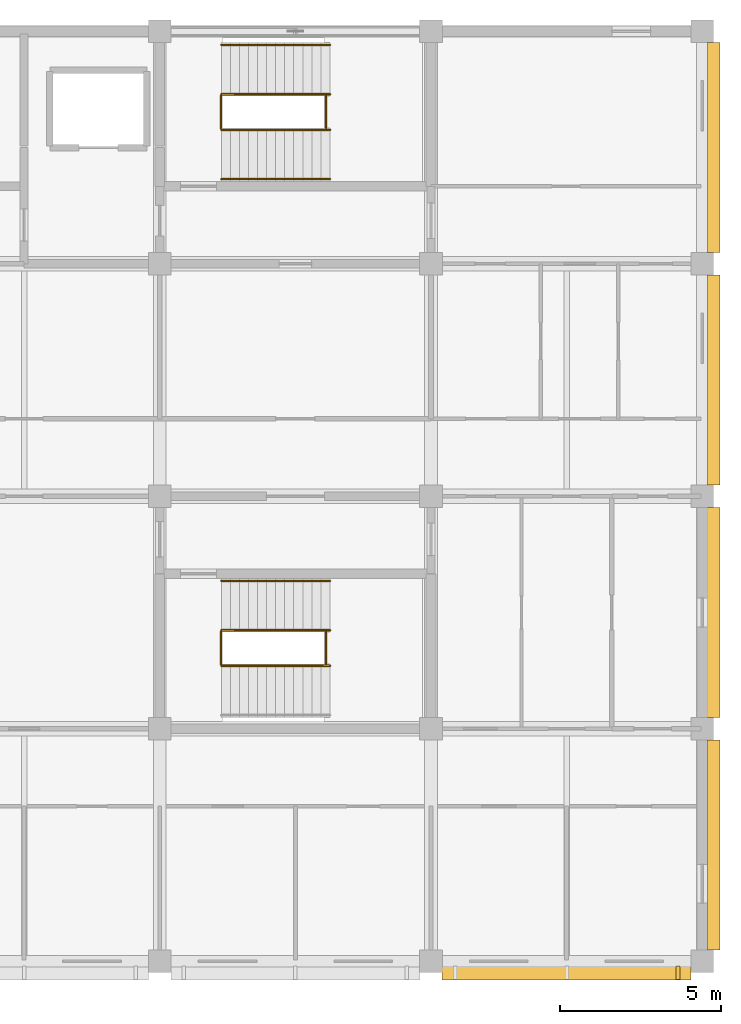
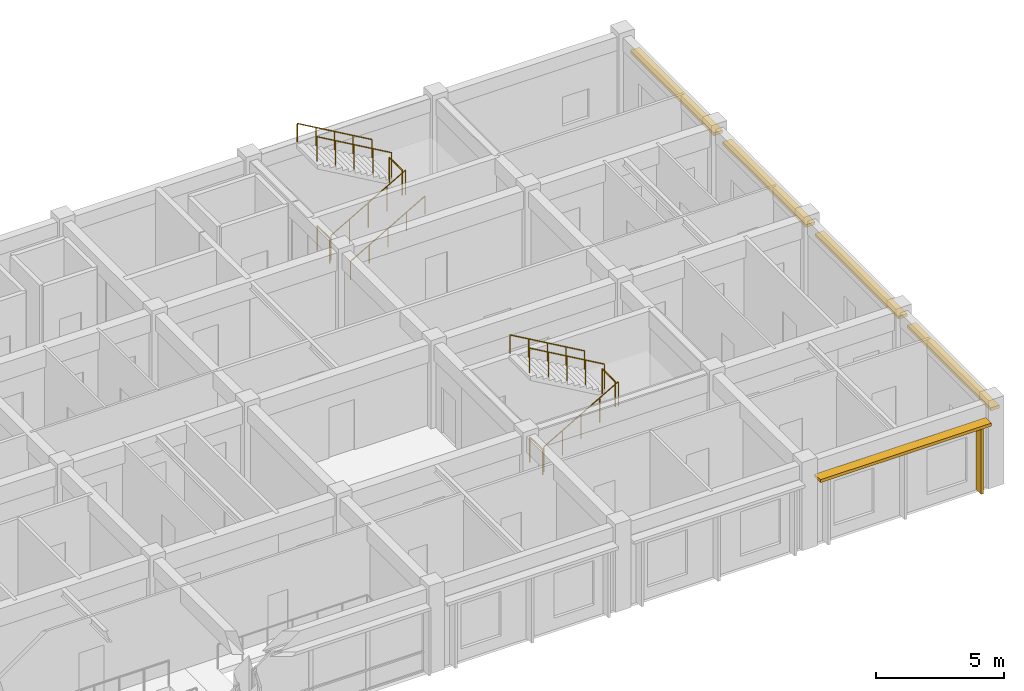
# One storey, part 17 of 17: 11 railings, 6 shading devices.
"""IFC4 building model written with IfcOpenShell, lengths in metres."""

from ifc_helpers import new_model, si_unit, direction, frame, origin, origin_2d, place, context, subcontext, project, spatial, rectangle, circle, extrude, material, type_object, element, save


model = new_model("IFC4")

# Units and contexts
model_context = context("Model", 3, precision=1e-05, world=origin(), true_north=direction((0.0, 1.0)))
body_context = subcontext(model_context, "Body", "Model", "MODEL_VIEW")
ifc_project = project(units=[si_unit("LENGTHUNIT", "METRE"), si_unit("AREAUNIT", "SQUARE_METRE"), si_unit("VOLUMEUNIT", "CUBIC_METRE"), si_unit("PLANEANGLEUNIT", "RADIAN"), si_unit("MASSUNIT", "GRAM", prefix="KILO")], contexts=[model_context])

# Site, building, storey
site_placement = place(None, origin())
site = spatial("IfcSite", under=ifc_project, at=site_placement, CompositionType="ELEMENT")
building_placement = place(site_placement, origin())
building = spatial("IfcBuilding", under=site, at=building_placement, Name="Chengyuan Square Courthouse", CompositionType="ELEMENT")
storey_placement = place(building_placement, frame((0.0, 0.0, 51.89990234375)))
storey = spatial("IfcBuildingStorey", under=building, at=storey_placement, Name="L12", CompositionType="ELEMENT", Elevation=51.89990234375)

# Railings
ifc_material_1 = material(Name="Tempered Glass and Timber Top-Rail Balustrade", Category="wood")
railing_type_1 = type_object("IfcRailingType", Name="RL-02", PredefinedType="BALUSTRADE", material=ifc_material_1)
for number, where, name in (
    (1, (102.68994140625, 105.0, 0.0), "Stair Floor Slot Guard ST-2 L12"),
    (2, (105.949951171875, 105.0, 2.10009765625), "Stair Landing Guard ST-2-L12"),
):
    element("IfcRailing", number, at=place(storey_placement, frame(where)), inside=storey, type_object=railing_type_1, Name=name, PredefinedType="BALUSTRADE", context=body_context, shape_type="SweptSolid", body=[
        extrude(circle(Radius=0.02392578125, at=origin_2d()), frame((0.0, 0.0, 1.17578125), z_axis=(0.0, 1.0, 0.0), x_axis=(-1.0, 0.0, 0.0)), (0.0, 0.0, 1.0), 1.0),
        extrude(circle(Radius=0.02099609375, at=origin_2d()), origin(), (0.0, 0.0, 1.0), 1.15185546875),
        extrude(circle(Radius=0.02099609375, at=origin_2d()), frame((0.0, 1.0, 0.0)), (0.0, 0.0, 1.0), 1.15185546875),
    ])
railing_1_placement = place(storey_placement, frame((102.7099609375, 104.949951171875, 0.16162109375)))
element("IfcRailing", 3, at=railing_1_placement, inside=storey, type_object=railing_type_1, Name="Stair Flight 1 Guard ST-2-L12", PredefinedType="BALUSTRADE", context=body_context, shape_type="SweptSolid", body=[
    extrude(circle(Radius=0.02392578125, at=origin_2d()), frame((0.0, 0.0, 1.17578125), z_axis=(0.866190824863, 0.0, 0.499713372768), x_axis=(0.0, 1.0, 0.0)), (0.0, 0.0, 1.0), 3.879150390625),
    extrude(circle(Radius=0.02099609375, at=origin_2d()), origin(), (0.0, 0.0, 1.0), 1.15185546875),
    extrude(circle(Radius=0.02099609375, at=origin_2d()), frame((0.840087890625, 0.0, 0.484619140625)), (0.0, 0.0, 1.0), 1.15185546875),
    extrude(circle(Radius=0.02099609375, at=origin_2d()), frame((1.68017578125, 0.0, 0.96923828125)), (0.0, 0.0, 1.0), 1.15185546875),
    extrude(circle(Radius=0.02099609375, at=origin_2d()), frame((2.52001953125, 0.0, 1.453857421875)), (0.0, 0.0, 1.0), 1.15185546875),
    extrude(circle(Radius=0.02099609375, at=origin_2d()), frame((3.360107421875, 0.0, 1.9384765625)), (0.0, 0.0, 1.0), 1.15185546875),
])
railing_2_placement = place(storey_placement, frame((106.070068359375, 106.050048828125, 2.26171875)))
element("IfcRailing", 4, at=railing_2_placement, inside=storey, type_object=railing_type_1, Name="Stair Flight 2 Guard ST-2-L12", PredefinedType="BALUSTRADE", context=body_context, shape_type="SweptSolid", body=[
    extrude(circle(Radius=0.02392578125, at=origin_2d()), frame((0.0, 0.0, 1.17578125), z_axis=(-0.866190824863, 0.0, 0.499713372768), x_axis=(0.0, -1.0, 0.0)), (0.0, 0.0, 1.0), 3.879150390625),
    extrude(circle(Radius=0.02099609375, at=origin_2d()), origin(), (0.0, 0.0, 1.0), 1.15185546875),
    extrude(circle(Radius=0.02099609375, at=origin_2d()), frame((-0.840087890625, 0.0, 0.484619140625)), (0.0, 0.0, 1.0), 1.15185546875),
    extrude(circle(Radius=0.02099609375, at=origin_2d()), frame((-1.68017578125, 0.0, 0.96923828125)), (0.0, 0.0, 1.0), 1.15185546875),
    extrude(circle(Radius=0.02099609375, at=origin_2d()), frame((-2.52001953125, 0.0, 1.453857421875)), (0.0, 0.0, 1.0), 1.15185546875),
    extrude(circle(Radius=0.02099609375, at=origin_2d()), frame((-3.360107421875, 0.0, 1.9384765625)), (0.0, 0.0, 1.0), 1.15185546875),
])
for number, where, name in (
    (5, (102.68994140625, 88.39990234375, 0.0), "Stair Floor Slot Guard ST-4 L12"),
    (6, (105.949951171875, 88.39990234375, 2.10009765625), "Stair Landing Guard ST-4-L12"),
):
    element("IfcRailing", number, at=place(storey_placement, frame(where)), inside=storey, type_object=railing_type_1, Name=name, PredefinedType="BALUSTRADE", context=body_context, shape_type="SweptSolid", body=[
        extrude(circle(Radius=0.02392578125, at=origin_2d()), frame((0.0, 0.0, 1.17578125), z_axis=(0.0, 1.0, 0.0), x_axis=(-1.0, 0.0, 0.0)), (0.0, 0.0, 1.0), 1.0),
        extrude(circle(Radius=0.02099609375, at=origin_2d()), origin(), (0.0, 0.0, 1.0), 1.15185546875),
        extrude(circle(Radius=0.02099609375, at=origin_2d()), frame((0.0, 1.0, 0.0)), (0.0, 0.0, 1.0), 1.15185546875),
    ])
railing_3_placement = place(storey_placement, frame((102.7099609375, 88.35009765625, 0.16162109375)))
element("IfcRailing", 7, at=railing_3_placement, inside=storey, type_object=railing_type_1, Name="Stair Flight 1 Guard ST-4-L12", PredefinedType="BALUSTRADE", context=body_context, shape_type="SweptSolid", body=[
    extrude(circle(Radius=0.02392578125, at=origin_2d()), frame((0.0, 0.0, 1.17578125), z_axis=(0.866190824863, 0.0, 0.499713372768), x_axis=(0.0, 1.0, 0.0)), (0.0, 0.0, 1.0), 3.879150390625),
    extrude(circle(Radius=0.02099609375, at=origin_2d()), origin(), (0.0, 0.0, 1.0), 1.15185546875),
    extrude(circle(Radius=0.02099609375, at=origin_2d()), frame((0.840087890625, 0.0, 0.484619140625)), (0.0, 0.0, 1.0), 1.15185546875),
    extrude(circle(Radius=0.02099609375, at=origin_2d()), frame((1.68017578125, 0.0, 0.96923828125)), (0.0, 0.0, 1.0), 1.15185546875),
    extrude(circle(Radius=0.02099609375, at=origin_2d()), frame((2.52001953125, 0.0, 1.453857421875)), (0.0, 0.0, 1.0), 1.15185546875),
    extrude(circle(Radius=0.02099609375, at=origin_2d()), frame((3.360107421875, 0.0, 1.9384765625)), (0.0, 0.0, 1.0), 1.15185546875),
])
railing_4_placement = place(storey_placement, frame((106.070068359375, 89.449951171875, 2.26171875)))
element("IfcRailing", 8, at=railing_4_placement, inside=storey, type_object=railing_type_1, Name="Stair Flight 2 Guard ST-4-L12", PredefinedType="BALUSTRADE", context=body_context, shape_type="SweptSolid", body=[
    extrude(circle(Radius=0.02392578125, at=origin_2d()), frame((0.0, 0.0, 1.17578125), z_axis=(-0.866190824863, 0.0, 0.499713372768), x_axis=(0.0, -1.0, 0.0)), (0.0, 0.0, 1.0), 3.879150390625),
    extrude(circle(Radius=0.02099609375, at=origin_2d()), origin(), (0.0, 0.0, 1.0), 1.15185546875),
    extrude(circle(Radius=0.02099609375, at=origin_2d()), frame((-0.840087890625, 0.0, 0.484619140625)), (0.0, 0.0, 1.0), 1.15185546875),
    extrude(circle(Radius=0.02099609375, at=origin_2d()), frame((-1.68017578125, 0.0, 0.96923828125)), (0.0, 0.0, 1.0), 1.15185546875),
    extrude(circle(Radius=0.02099609375, at=origin_2d()), frame((-2.52001953125, 0.0, 1.453857421875)), (0.0, 0.0, 1.0), 1.15185546875),
    extrude(circle(Radius=0.02099609375, at=origin_2d()), frame((-3.360107421875, 0.0, 1.9384765625)), (0.0, 0.0, 1.0), 1.15185546875),
])
ifc_material_2 = material(Name="Stainless Steel S30408 Stair Handrail", Category="steel")
railing_type_2 = type_object("IfcRailingType", Name="RL-04", PredefinedType="HANDRAIL", material=ifc_material_2)
railing_5_placement = place(storey_placement, frame((102.7099609375, 103.419921875, 0.16162109375)))
element("IfcRailing", 9, at=railing_5_placement, inside=storey, type_object=railing_type_2, Name="Stair Flight 1 Handrail ST-2-L12", PredefinedType="HANDRAIL", context=body_context, shape_type="SweptSolid", body=[
    extrude(circle(Radius=0.02392578125, at=origin_2d()), frame((0.0, 0.0, 0.8759765625), z_axis=(0.866190824863, 0.0, 0.499713372768), x_axis=(0.0, 1.0, 0.0)), (0.0, 0.0, 1.0), 3.879150390625),
    extrude(circle(Radius=0.02099609375, at=origin_2d()), origin(), (0.0, 0.0, 1.0), 0.851806640625),
    extrude(circle(Radius=0.02099609375, at=origin_2d()), frame((0.840087890625, 0.0, 0.484619140625)), (0.0, 0.0, 1.0), 0.851806640625),
    extrude(circle(Radius=0.02099609375, at=origin_2d()), frame((1.68017578125, 0.0, 0.96923828125)), (0.0, 0.0, 1.0), 0.851806640625),
    extrude(circle(Radius=0.02099609375, at=origin_2d()), frame((2.52001953125, 0.0, 1.453857421875)), (0.0, 0.0, 1.0), 0.851806640625),
    extrude(circle(Radius=0.02099609375, at=origin_2d()), frame((3.360107421875, 0.0, 1.9384765625)), (0.0, 0.0, 1.0), 0.851806640625),
])
for number, where, name in (
    (10, (106.070068359375, 107.580078125, 2.26171875), "Stair Flight 2 Handrail ST-2-L12"),
    (11, (106.070068359375, 90.97998046875, 2.26171875), "Stair Flight 2 Handrail ST-4-L12"),
):
    element("IfcRailing", number, at=place(storey_placement, frame(where)), inside=storey, type_object=railing_type_2, Name=name, PredefinedType="HANDRAIL", context=body_context, shape_type="SweptSolid", body=[
        extrude(circle(Radius=0.02392578125, at=origin_2d()), frame((0.0, 0.0, 0.8759765625), z_axis=(-0.866190824863, 0.0, 0.499713372768), x_axis=(0.0, -1.0, 0.0)), (0.0, 0.0, 1.0), 3.879150390625),
        extrude(circle(Radius=0.02099609375, at=origin_2d()), origin(), (0.0, 0.0, 1.0), 0.851806640625),
        extrude(circle(Radius=0.02099609375, at=origin_2d()), frame((-0.840087890625, 0.0, 0.484619140625)), (0.0, 0.0, 1.0), 0.851806640625),
        extrude(circle(Radius=0.02099609375, at=origin_2d()), frame((-1.68017578125, 0.0, 0.96923828125)), (0.0, 0.0, 1.0), 0.851806640625),
        extrude(circle(Radius=0.02099609375, at=origin_2d()), frame((-2.52001953125, 0.0, 1.453857421875)), (0.0, 0.0, 1.0), 0.851806640625),
        extrude(circle(Radius=0.02099609375, at=origin_2d()), frame((-3.360107421875, 0.0, 1.9384765625)), (0.0, 0.0, 1.0), 0.851806640625),
    ])

# Shading devices
ifc_material_3 = material(Name="Glulam TCt28 Sunshade Louvre", Category="wood")
shading_device_type_1 = type_object("IfcShadingDeviceType", Name="SHD-02", PredefinedType="AWNING", material=ifc_material_3)
shading_device_1_placement = place(storey_placement, frame((113.39990234375, 78.837890625, 3.14013671875), z_axis=(0.0, 0.0, 1.0), x_axis=(1.0, 0.0, 0.0)))
element("IfcShadingDevice", 12, at=shading_device_1_placement, inside=storey, type_object=shading_device_type_1, Name="Glulam Sunshade Cornice SHD-L12-0866", PredefinedType="AWNING", context=body_context, shape_type="SweptSolid", body=[
    extrude(rectangle(XDim=7.7099609375, YDim=0.43994140625, at=origin_2d()), origin(), (0.0, 0.0, 1.0), 0.139892578125),
])
ifc_material_4 = material(Name="Glulam TCt28 Facade Sunshade", Category="wood")
shading_device_type_2 = type_object("IfcShadingDeviceType", Name="SHD-03", PredefinedType="AWNING", material=ifc_material_4)
for number, where, z_axis, x_axis, name in (
    (13, (117.951904296875, 82.800048828125, 3.1201171875), (0.0, 0.0, 1.0), (0.0, 1.0, 0.0), "Glulam Facade Sunshade SHD-L12-0867"),
    (14, (117.951904296875, 90.0, 3.1201171875), (0.0, 0.0, 1.0), (0.0, 1.0, 0.0), "Glulam Facade Sunshade SHD-L12-0868"),
    (15, (117.951904296875, 97.199951171875, 3.1201171875), (0.0, 0.0, 1.0), (0.0, 1.0, 0.0), "Glulam Facade Sunshade SHD-L12-0869"),
    (16, (117.951904296875, 104.39990234375, 3.1201171875), (0.0, 0.0, 1.0), (0.0, 1.0, 0.0), "Glulam Facade Sunshade SHD-L12-0870"),
):
    element("IfcShadingDevice", number, at=place(storey_placement, frame(where, z_axis=z_axis, x_axis=x_axis)), inside=storey, type_object=shading_device_type_2, Name=name, PredefinedType="AWNING", context=body_context, shape_type="SweptSolid", body=[
        extrude(rectangle(XDim=6.510009765625, YDim=0.39990234375, at=origin_2d()), origin(), (0.0, 0.0, 1.0), 0.139892578125),
    ])
ifc_material_5 = material(Name="Glulam TCt28 Chamber Solar Fin", Category="wood")
shading_device_type_3 = type_object("IfcShadingDeviceType", Name="SHD-04", PredefinedType="JALOUSIE", material=ifc_material_5)
shading_device_2_placement = place(storey_placement, frame((116.85009765625, 78.837890625, 0.0400390625), z_axis=(0.0, 0.0, 1.0), x_axis=(0.0, 1.0, 0.0)))
element("IfcShadingDevice", 17, at=shading_device_2_placement, inside=storey, type_object=shading_device_type_3, Name="Glulam Chamber Fin SHD-L12-0865", PredefinedType="JALOUSIE", context=body_context, shape_type="SweptSolid", body=[
    extrude(rectangle(XDim=0.419921875, YDim=0.110107421875, at=origin_2d()), origin(), (0.0, 0.0, 1.0), 3.10009765625),
])

save(model, "model.ifc")
